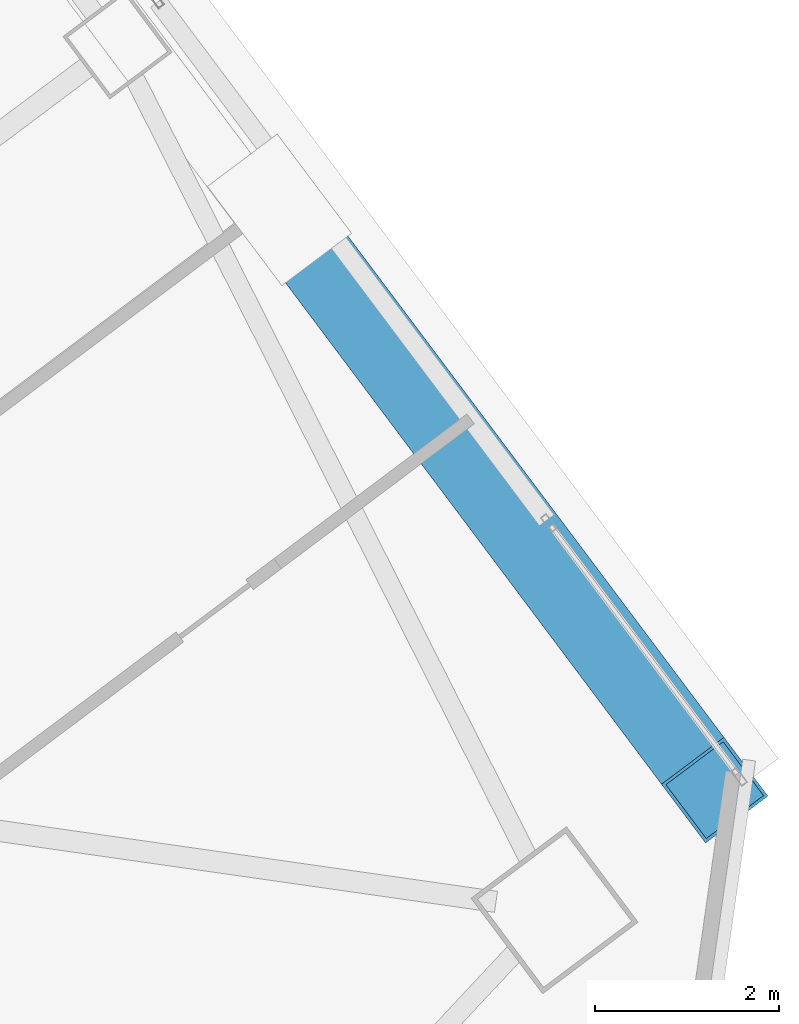
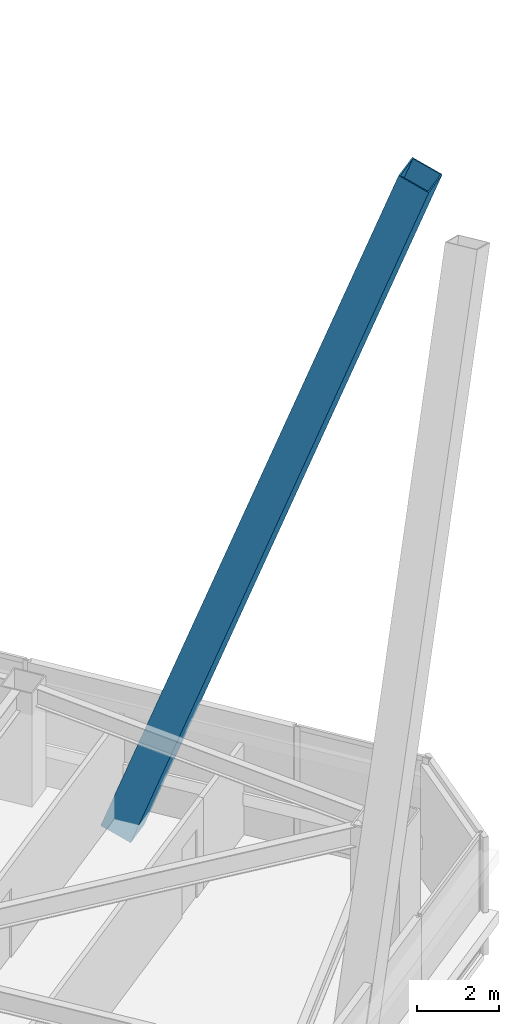
# One storey, part 34 of 54: 1 member.
"""IFC4 building model written with IfcOpenShell, lengths in metres."""

from ifc_helpers import new_model, si_unit, direction, frame, origin, origin_2d, place, context, subcontext, project, spatial, hollow_rectangle, extrude, material, material_profile, profile_set, type_object, element, save


model = new_model("IFC4")

# Units and contexts
model_context = context("Model", 3, precision=1e-05, world=origin(), true_north=direction((0.0, 1.0)))
body_context = subcontext(model_context, "Body", "Model", "MODEL_VIEW")
ifc_project = project(units=[si_unit("LENGTHUNIT", "METRE"), si_unit("AREAUNIT", "SQUARE_METRE"), si_unit("VOLUMEUNIT", "CUBIC_METRE"), si_unit("PLANEANGLEUNIT", "RADIAN"), si_unit("MASSUNIT", "GRAM", prefix="KILO")], contexts=[model_context])

# Site, building, storey
site_placement = place(None, origin())
site = spatial("IfcSite", under=ifc_project, at=site_placement, CompositionType="ELEMENT")
building_placement = place(site_placement, origin())
building = spatial("IfcBuilding", under=site, at=building_placement, Name="Tashvorn Skyway Center", CompositionType="ELEMENT")
storey_placement = place(building_placement, frame((0.0, 0.0, 135.699951171875)))
storey = spatial("IfcBuildingStorey", under=building, at=storey_placement, Name="L36", CompositionType="ELEMENT", Elevation=135.699951171875)

# Member
ifc_material = material(Name="Steel ASTM A572 Grade 50", Category="steel")
ifc_material_profile = material_profile(ifc_material, hollow_rectangle(XDim=0.85009765625, YDim=0.85009765625, WallThickness=0.034912109375, at=origin_2d()), Name="BOX850x850x35")
ifc_profile_set = profile_set([ifc_material_profile], Name="Steel ASTM A572 Grade 50")
member_type = type_object("IfcMemberType", Name="MEM-MB-850", PredefinedType="BRACE", material=ifc_profile_set)
member_placement = place(storey_placement, frame((133.1240234375, 36.468017578125, -0.449951171875), z_axis=(0.206767363973, -0.27569336859, 0.938744067204), x_axis=(0.800003708427, 0.599995055399, 0.0)))
element("IfcMember", 1, at=member_placement, inside=storey, type_object=member_type, Name="Tower 2 Zone 3 E Chevron Mega-Brace L2", PredefinedType="BRACE", context=body_context, shape_type="SweptSolid", body=[
    extrude(hollow_rectangle(XDim=0.85009765625, YDim=0.85009765625, WallThickness=0.034912109375, at=origin_2d()), origin(), (0.0, 0.0, 1.0), 22.92431640625),
])

save(model, "model.ifc")
